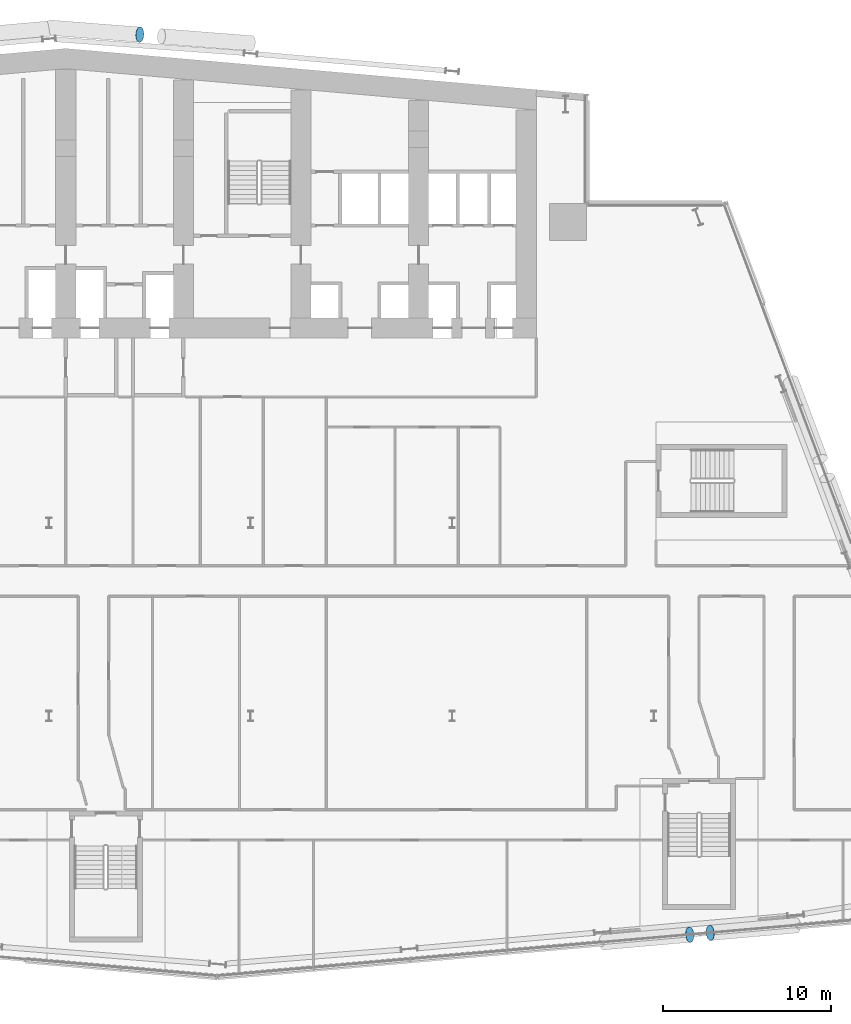
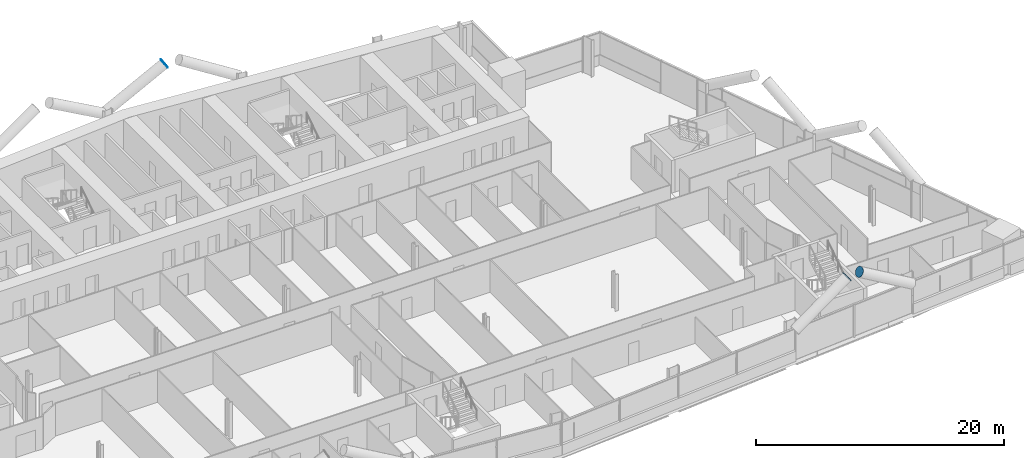
# One storey, part 23 of 28: 3 discrete accessories.
"""IFC4 building model written with IfcOpenShell, lengths in metres."""

from ifc_helpers import new_model, si_unit, direction, frame, origin, origin_2d, place, context, subcontext, project, spatial, circle, extrude, material, material_profile, profile_set, type_object, element, save


model = new_model("IFC4")

# Units and contexts
model_context = context("Model", 3, precision=1e-05, world=origin(), true_north=direction((0.0, 1.0)))
body_context = subcontext(model_context, "Body", "Model", "MODEL_VIEW")
ifc_project = project(units=[si_unit("LENGTHUNIT", "METRE"), si_unit("AREAUNIT", "SQUARE_METRE"), si_unit("VOLUMEUNIT", "CUBIC_METRE"), si_unit("PLANEANGLEUNIT", "RADIAN"), si_unit("MASSUNIT", "GRAM", prefix="KILO")], contexts=[model_context])

# Site, building, storey
site_placement = place(None, origin())
site = spatial("IfcSite", under=ifc_project, at=site_placement, CompositionType="ELEMENT")
building_placement = place(site_placement, origin())
building = spatial("IfcBuilding", under=site, at=building_placement, Name="Wharfspan Tower", CompositionType="ELEMENT")
storey_placement = place(building_placement, frame((0.0, 0.0, 52.300049)))
storey = spatial("IfcBuildingStorey", under=building, at=storey_placement, Name="L09", CompositionType="ELEMENT", Elevation=52.300049)

# Discrete accessories
ifc_material = material(Name="Steel S460NH", Category="steel")
ifc_material_profile = material_profile(ifc_material, circle(Radius=0.457031, at=origin_2d()))
ifc_profile_set = profile_set([ifc_material_profile], Name="Steel S460NH")
discrete_accessory_type = type_object("IfcDiscreteAccessoryType", Name="End plate CHS 914x40", PredefinedType="BRACKET", material=ifc_profile_set)
discrete_accessory_placement = place(storey_placement, frame((74.12915, -1.508301, 6.114258), z_axis=(0.848411, 0.07486, 0.524018), x_axis=(-0.087893, 0.996132, -2e-06)))
element("IfcDiscreteAccessory", 1, at=discrete_accessory_placement, inside=storey, type_object=discrete_accessory_type, Name="End plate CHS 914x40", PredefinedType="BRACKET", context=body_context, shape_type="SweptSolid", body=[
    extrude(circle(Radius=0.457031, at=origin_2d()), origin(), (0.0, 0.0, 1.0), 0.009766),
])
for number, where, z_axis, x_axis, name in (
    (2, (75.361328, -1.400391, 6.114258), (-0.855186, -0.073302, 0.513112), (0.085402, -0.996345, 1e-06), "End plate CHS 914x40"),
    (3, (41.396484, 52.060791, 6.109863), (0.856465, -0.048941, 0.513879), (0.05705, 0.998372, 0.0), "End plate CHS 914x40"),
):
    element("IfcDiscreteAccessory", number, at=place(storey_placement, frame(where, z_axis=z_axis, x_axis=x_axis)), inside=storey, type_object=discrete_accessory_type, Name=name, PredefinedType="BRACKET", context=body_context, shape_type="SweptSolid", body=[
        extrude(circle(Radius=0.457031, at=origin_2d()), origin(), (0.0, 0.0, 1.0), 0.01001),
    ])

save(model, "model.ifc")
